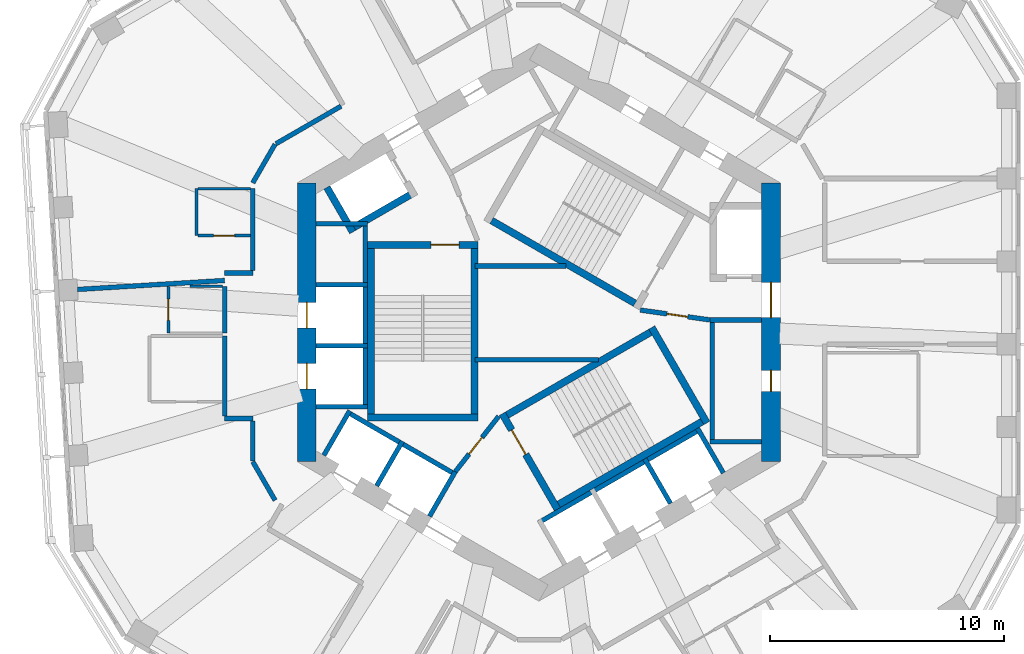
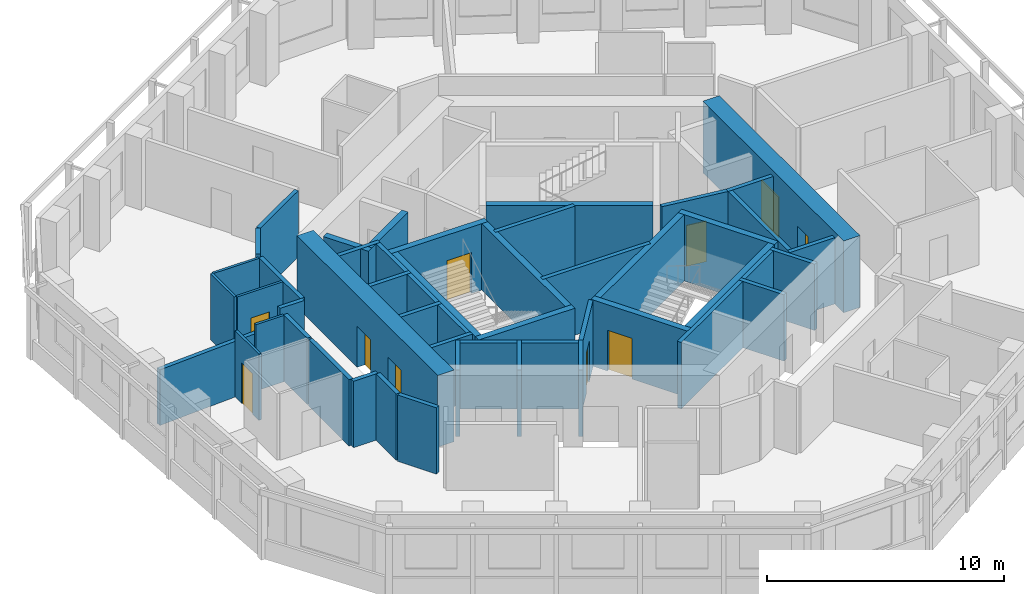
# One storey, part 5 of 11: 47 walls, 10 doors, 10 openings.
"""IFC4 building model written with IfcOpenShell, lengths in metres."""

from ifc_helpers import new_model, si_unit, direction, frame, frame_2d, origin, place, context, subcontext, project, spatial, rectangle, extrude, material, layer, layer_set, type_object, element, fill, save


model = new_model("IFC4")

# Units and contexts
model_context = context("Model", 3, precision=1e-05, world=origin(), true_north=direction((0.0, 1.0)))
body_context = subcontext(model_context, "Body", "Model", "MODEL_VIEW")
ifc_project = project(units=[si_unit("LENGTHUNIT", "METRE"), si_unit("AREAUNIT", "SQUARE_METRE"), si_unit("VOLUMEUNIT", "CUBIC_METRE"), si_unit("PLANEANGLEUNIT", "RADIAN"), si_unit("MASSUNIT", "GRAM", prefix="KILO")], contexts=[model_context])

# Site, building, storey
site_placement = place(None, origin())
site = spatial("IfcSite", under=ifc_project, at=site_placement, CompositionType="ELEMENT")
building_placement = place(site_placement, origin())
building = spatial("IfcBuilding", under=site, at=building_placement, Name="Vanh Sen Convention Tower", CompositionType="ELEMENT")
storey_placement = place(building_placement, frame((0.0, 0.0, 240.199951171875)))
storey = spatial("IfcBuildingStorey", under=building, at=storey_placement, Name="L59", CompositionType="ELEMENT", Elevation=240.199951171875)

# Wall, opening, door
ifc_material_1 = material(Name="Moisture-resistant gypsum board on steel studs", Category="steel")
ifc_layer_1 = layer(ifc_material_1, 0.1201171875)
ifc_layer_set_1 = layer_set([ifc_layer_1], Name="Moisture-resistant gypsum board on steel studs")
wall_type_1 = type_object("IfcWallType", Name="Bathroom partition 120", PredefinedType="PARTITIONING", material=ifc_layer_set_1)
wall_1_placement = place(storey_placement, frame((-15.801025390625, -0.466796875, 0.0), z_axis=(0.0, 0.0, 1.0), x_axis=(0.0, 1.0, 0.0)))
wall_1 = element("IfcWall", 1, at=wall_1_placement, inside=storey, type_object=wall_type_1, Name="Bathroom partition 120", PredefinedType="PARTITIONING", context=body_context, shape_type="SweptSolid", body=[
    extrude(rectangle(XDim=2.0, YDim=0.1201171875, at=frame_2d((1.0, 0.0))), origin(), (0.0, 0.0, 1.0), 3.420166015625),
])
opening_1_placement = place(wall_1_placement, frame((0.550048828125, 0.0, 0.0)))
opening_1 = element("IfcOpeningElement", 2, at=opening_1_placement, cuts=wall_1, Name="Opening D59110", PredefinedType="OPENING", context=body_context, shape_type="SweptSolid", body=[
    extrude(rectangle(XDim=0.89990234375, YDim=2.10009765625, at=frame_2d((0.449951171875, 1.050048828125))), frame((0.0, 0.070068359375, 0.0), z_axis=(0.0, -1.0, 0.0), x_axis=(1.0, 0.0, 0.0)), (0.0, 0.0, 1.0), 0.14013671875),
])
ifc_material_2 = material(Name="Laminate door in steel frame", Category="steel")
door_type_1 = type_object("IfcDoorType", Name="Room internal door 900", OperationType="SINGLE_SWING_LEFT", PredefinedType="DOOR", material=ifc_material_2)
door_1_placement = place(opening_1_placement, origin())
door_1 = element("IfcDoor", 3, at=door_1_placement, inside=storey, type_object=door_type_1, Name="Internal room door D59110", OperationType="SINGLE_SWING_LEFT", OverallHeight=2.10009765625, OverallWidth=0.89990234375, PredefinedType="DOOR", context=body_context, shape_type="SweptSolid", body=[
    extrude(rectangle(XDim=0.89990234375, YDim=2.10009765625, at=frame_2d((0.449951171875, 1.050048828125))), frame((0.0, 0.02490234375, 0.0), z_axis=(0.0, -1.0, 0.0), x_axis=(1.0, 0.0, 0.0)), (0.0, 0.0, 1.0), 0.050048828125),
])
fill(opening_1, door_1)

# Walls
wall_2_placement = place(storey_placement, frame((-14.869384765625, 1.533203125, 0.0), z_axis=(0.0, 0.0, 1.0), x_axis=(1.0, 0.0, 0.0)))
element("IfcWall", 4, at=wall_2_placement, inside=storey, type_object=wall_type_1, Name="Bathroom partition 120", PredefinedType="PARTITIONING", context=body_context, shape_type="SweptSolid", body=[
    extrude(rectangle(XDim=1.368408203125, YDim=0.1201171875, at=frame_2d((0.68408203125, 0.0))), origin(), (0.0, 0.0, 1.0), 3.420166015625),
])
wall_3_placement = place(storey_placement, frame((-14.60009765625, 3.69677734375, 0.0), z_axis=(0.0, 0.0, 1.0), x_axis=(0.0, 1.0, 0.0)))
element("IfcWall", 5, at=wall_3_placement, inside=storey, type_object=wall_type_1, Name="Bathroom partition 120", PredefinedType="PARTITIONING", context=body_context, shape_type="SweptSolid", body=[
    extrude(rectangle(XDim=2.0, YDim=0.1201171875, at=frame_2d((1.0, 0.0))), origin(), (0.0, 0.0, 1.0), 3.420166015625),
])
wall_4_placement = place(storey_placement, frame((-14.5400390625, 5.69677734375, 0.0), z_axis=(0.0, 0.0, 1.0), x_axis=(1.0, 0.0, 0.0)))
element("IfcWall", 6, at=wall_4_placement, inside=storey, type_object=wall_type_1, Name="Bathroom partition 120", PredefinedType="PARTITIONING", context=body_context, shape_type="SweptSolid", body=[
    extrude(rectangle(XDim=2.239990234375, YDim=0.1201171875, at=frame_2d((1.1201171875, 0.0))), origin(), (0.0, 0.0, 1.0), 3.420166015625),
])

# Wall, opening, door
wall_5_placement = place(storey_placement, frame((-12.300048828125, 3.69677734375, 0.0), z_axis=(0.0, 0.0, 1.0), x_axis=(-1.0, 0.0, 0.0)))
wall_5 = element("IfcWall", 7, at=wall_5_placement, inside=storey, type_object=wall_type_1, Name="Bathroom partition 120", PredefinedType="PARTITIONING", context=body_context, shape_type="SweptSolid", body=[
    extrude(rectangle(XDim=2.239990234375, YDim=0.1201171875, at=frame_2d((1.1201171875, 0.0))), origin(), (0.0, 0.0, 1.0), 3.420166015625),
])
opening_2_placement = place(wall_5_placement, frame((0.669921875, 0.0, 0.0)))
opening_2 = element("IfcOpeningElement", 8, at=opening_2_placement, cuts=wall_5, Name="Opening D59108", PredefinedType="OPENING", context=body_context, shape_type="SweptSolid", body=[
    extrude(rectangle(XDim=0.89990234375, YDim=2.10009765625, at=frame_2d((0.449951171875, 1.050048828125))), frame((0.0, 0.070068359375, 0.0), z_axis=(0.0, -1.0, 0.0), x_axis=(1.0, 0.0, 0.0)), (0.0, 0.0, 1.0), 0.14013671875),
])
door_2_placement = place(opening_2_placement, origin())
door_2 = element("IfcDoor", 9, at=door_2_placement, inside=storey, type_object=door_type_1, Name="Internal room door D59108", OperationType="SINGLE_SWING_LEFT", OverallHeight=2.10009765625, OverallWidth=0.89990234375, PredefinedType="DOOR", context=body_context, shape_type="SweptSolid", body=[
    extrude(rectangle(XDim=0.89990234375, YDim=2.10009765625, at=frame_2d((0.449951171875, 1.050048828125))), frame((0.0, 0.02490234375, 0.0), z_axis=(0.0, -1.0, 0.0), x_axis=(1.0, 0.0, 0.0)), (0.0, 0.0, 1.0), 0.050048828125),
])
fill(opening_2, door_2)

# Wall, openings, doors
ifc_material_3 = material(Name="Concrete C60/75", Category="concrete")
ifc_layer_2 = layer(ifc_material_3, 0.800048828125)
ifc_layer_set_2 = layer_set([ifc_layer_2], Name="Concrete C60/75")
wall_type_2 = type_object("IfcWallType", Name="Core outer wall 800 C60/75", PredefinedType="SHEAR", material=ifc_layer_set_2)
wall_6_placement = place(storey_placement, frame((9.89990234375, -5.94677734375, 0.0), z_axis=(0.0, 0.0, 1.0), x_axis=(0.0, 1.0, 0.0)))
wall_6 = element("IfcWall", 10, at=wall_6_placement, inside=storey, type_object=wall_type_2, Name="Core wall face E L59", PredefinedType="SHEAR", context=body_context, shape_type="SweptSolid", body=[
    extrude(rectangle(XDim=11.8935546875, YDim=0.800048828125, at=frame_2d((5.94677734375, 0.0))), origin(), (0.0, 0.0, 1.0), 3.699951171875),
])
opening_3_placement = place(wall_6_placement, frame((6.146728515625, 0.0, 0.0)))
opening_3 = element("IfcOpeningElement", 11, at=opening_3_placement, cuts=wall_6, Name="Opening D59001", PredefinedType="OPENING", context=body_context, shape_type="SweptSolid", body=[
    extrude(rectangle(XDim=1.5, YDim=2.10009765625, at=frame_2d((0.75, 1.050048828125))), frame((0.0, 0.409912109375, 0.0), z_axis=(0.0, -1.0, 0.0), x_axis=(1.0, 0.0, 0.0)), (0.0, 0.0, 1.0), 0.820068359375),
])
opening_4_placement = place(wall_6_placement, frame((2.99658203125, 0.0, 0.0)))
opening_4 = element("IfcOpeningElement", 12, at=opening_4_placement, cuts=wall_6, Name="Opening D59010", PredefinedType="OPENING", context=body_context, shape_type="SweptSolid", body=[
    extrude(rectangle(XDim=0.89990234375, YDim=2.10009765625, at=frame_2d((0.449951171875, 1.050048828125))), frame((0.0, 0.409912109375, 0.0), z_axis=(0.0, -1.0, 0.0), x_axis=(1.0, 0.0, 0.0)), (0.0, 0.0, 1.0), 0.820068359375),
])
ifc_material_4 = material(Name="Steel S355", Category="steel")
door_type_2 = type_object("IfcDoorType", Name="Plant door 900", OperationType="SINGLE_SWING_LEFT", PredefinedType="DOOR", material=ifc_material_4)
door_3_placement = place(opening_4_placement, origin())
door_3 = element("IfcDoor", 13, at=door_3_placement, inside=storey, type_object=door_type_2, Name="Plant door D59010", OperationType="SINGLE_SWING_LEFT", OverallHeight=2.10009765625, OverallWidth=0.89990234375, PredefinedType="DOOR", context=body_context, shape_type="SweptSolid", body=[
    extrude(rectangle(XDim=0.89990234375, YDim=2.10009765625, at=frame_2d((0.449951171875, 1.050048828125))), frame((0.0, 0.02490234375, 0.0), z_axis=(0.0, -1.0, 0.0), x_axis=(1.0, 0.0, 0.0)), (0.0, 0.0, 1.0), 0.050048828125),
])
fill(opening_4, door_3)
door_type_3 = type_object("IfcDoorType", Name="Stair lobby door 1500", OperationType="DOUBLE_DOOR_SINGLE_SWING", PredefinedType="DOOR", material=ifc_material_4)
door_4_placement = place(opening_3_placement, origin())
door_4 = element("IfcDoor", 14, at=door_4_placement, inside=storey, type_object=door_type_3, Name="Stair lobby door D59001", OperationType="DOUBLE_DOOR_SINGLE_SWING", OverallHeight=2.10009765625, OverallWidth=1.5, PredefinedType="DOOR", context=body_context, shape_type="SweptSolid", body=[
    extrude(rectangle(XDim=1.5, YDim=2.10009765625, at=frame_2d((0.75, 1.050048828125))), frame((0.0, 0.02490234375, 0.0), z_axis=(0.0, -1.0, 0.0), x_axis=(1.0, 0.0, 0.0)), (0.0, 0.0, 1.0), 0.050048828125),
])
fill(opening_3, door_4)

wall_7_placement = place(storey_placement, frame((-9.89990234375, 5.94677734375, 0.0), z_axis=(0.0, 0.0, 1.0), x_axis=(0.0, -1.0, 0.0)))
wall_7 = element("IfcWall", 15, at=wall_7_placement, inside=storey, type_object=wall_type_2, Name="Core wall face W L59", PredefinedType="SHEAR", context=body_context, shape_type="SweptSolid", body=[
    extrude(rectangle(XDim=11.8935546875, YDim=0.800048828125, at=frame_2d((5.94677734375, 0.0))), origin(), (0.0, 0.0, 1.0), 3.699951171875),
])
opening_5_placement = place(wall_7_placement, frame((5.0966796875, 0.0, 0.0)))
opening_5 = element("IfcOpeningElement", 16, at=opening_5_placement, cuts=wall_7, Name="Opening LD-HR1", PredefinedType="OPENING", context=body_context, shape_type="SweptSolid", body=[
    extrude(rectangle(XDim=1.10009765625, YDim=2.10009765625, at=frame_2d((0.550048828125, 1.050048828125))), frame((0.0, 0.409912109375, 0.0), z_axis=(0.0, -1.0, 0.0), x_axis=(1.0, 0.0, 0.0)), (0.0, 0.0, 1.0), 0.820068359375),
])
opening_6_placement = place(wall_7_placement, frame((7.69677734375, 0.0, 0.0)))
opening_6 = element("IfcOpeningElement", 17, at=opening_6_placement, cuts=wall_7, Name="Opening LD-HR2", PredefinedType="OPENING", context=body_context, shape_type="SweptSolid", body=[
    extrude(rectangle(XDim=1.10009765625, YDim=2.10009765625, at=frame_2d((0.550048828125, 1.050048828125))), frame((0.0, 0.409912109375, 0.0), z_axis=(0.0, -1.0, 0.0), x_axis=(1.0, 0.0, 0.0)), (0.0, 0.0, 1.0), 0.820068359375),
])
ifc_material_5 = material(Name="Stainless steel", Category="steel")
door_type_4 = type_object("IfcDoorType", Name="Lift landing door 1100", OperationType="DOUBLE_DOOR_SLIDING", PredefinedType="DOOR", material=ifc_material_5)
door_5_placement = place(opening_5_placement, origin())
door_5 = element("IfcDoor", 18, at=door_5_placement, inside=storey, type_object=door_type_4, Name="Lift HR1 landing door LD-HR1", OperationType="DOUBLE_DOOR_SLIDING", OverallHeight=2.10009765625, OverallWidth=1.10009765625, PredefinedType="DOOR", context=body_context, shape_type="SweptSolid", body=[
    extrude(rectangle(XDim=1.10009765625, YDim=2.10009765625, at=frame_2d((0.550048828125, 1.050048828125))), frame((0.0, 0.02490234375, 0.0), z_axis=(0.0, -1.0, 0.0), x_axis=(1.0, 0.0, 0.0)), (0.0, 0.0, 1.0), 0.050048828125),
])
fill(opening_5, door_5)
door_6_placement = place(opening_6_placement, origin())
door_6 = element("IfcDoor", 19, at=door_6_placement, inside=storey, type_object=door_type_4, Name="Lift HR2 landing door LD-HR2", OperationType="DOUBLE_DOOR_SLIDING", OverallHeight=2.10009765625, OverallWidth=1.10009765625, PredefinedType="DOOR", context=body_context, shape_type="SweptSolid", body=[
    extrude(rectangle(XDim=1.10009765625, YDim=2.10009765625, at=frame_2d((0.550048828125, 1.050048828125))), frame((0.0, 0.02490234375, 0.0), z_axis=(0.0, -1.0, 0.0), x_axis=(1.0, 0.0, 0.0)), (0.0, 0.0, 1.0), 0.050048828125),
])
fill(opening_6, door_6)

# Walls
ifc_material_6 = material(Name="Masonry blockwork", Category="masonry")
ifc_layer_3 = layer(ifc_material_6, 0.199951171875)
ifc_layer_set_3 = layer_set([ifc_layer_3], Name="Masonry blockwork")
wall_type_3 = type_object("IfcWallType", Name="Core partition 200", PredefinedType="PARTITIONING", material=ifc_layer_set_3)
wall_8_placement = place(storey_placement, frame((-2.719970703125, -1.60009765625, 0.0), z_axis=(0.0, 0.0, 1.0), x_axis=(1.0, 0.0, 0.0)))
element("IfcWall", 20, at=wall_8_placement, inside=storey, type_object=wall_type_3, Name="Core partition L59", PredefinedType="PARTITIONING", context=body_context, shape_type="SweptSolid", body=[
    extrude(rectangle(XDim=5.2685546875, YDim=0.199951171875, at=frame_2d((2.63427734375, 0.0))), origin(), (0.0, 0.0, 1.0), 3.420166015625),
])
wall_9_placement = place(storey_placement, frame((-2.719970703125, 2.39990234375, 0.0), z_axis=(0.0, 0.0, 1.0), x_axis=(1.0, 0.0, 0.0)))
element("IfcWall", 21, at=wall_9_placement, inside=storey, type_object=wall_type_3, Name="Core partition L59", PredefinedType="PARTITIONING", context=body_context, shape_type="SweptSolid", body=[
    extrude(rectangle(XDim=3.883056640625, YDim=0.199951171875, at=frame_2d((1.94140625, 0.0))), origin(), (0.0, 0.0, 1.0), 3.420166015625),
])
ifc_material_7 = material(Name="Gypsum board on steel studs with mineral wool", Category="steel")
ifc_layer_4 = layer(ifc_material_7, 0.199951171875)
ifc_layer_set_4 = layer_set([ifc_layer_4], Name="Gypsum board on steel studs with mineral wool")
wall_type_4 = type_object("IfcWallType", Name="Corridor partition wall 200", PredefinedType="PARTITIONING", material=ifc_layer_set_4)
wall_10_placement = place(storey_placement, frame((-13.40087890625, -4.10107421875, 0.0), z_axis=(0.0, 0.0, 1.0), x_axis=(1.0, 0.0, 0.0)))
element("IfcWall", 22, at=wall_10_placement, inside=storey, type_object=wall_type_4, Name="Corridor partition wall 200", PredefinedType="PARTITIONING", context=body_context, shape_type="SweptSolid", body=[
    extrude(rectangle(XDim=1.200927734375, YDim=0.199951171875, at=frame_2d((0.6005859375, 0.0))), origin(), (0.0, 0.0, 1.0), 3.420166015625),
])
wall_11_placement = place(storey_placement, frame((-13.40087890625, -0.586669921875, 0.0), z_axis=(0.0, 0.0, 1.0), x_axis=(0.0, -1.0, 0.0)))
element("IfcWall", 23, at=wall_11_placement, inside=storey, type_object=wall_type_4, Name="Corridor partition wall 200", PredefinedType="PARTITIONING", context=body_context, shape_type="SweptSolid", body=[
    extrude(rectangle(XDim=3.414306640625, YDim=0.199951171875, at=frame_2d((1.70703125, 0.0))), origin(), (0.0, 0.0, 1.0), 3.420166015625),
])
wall_12_placement = place(storey_placement, frame((-13.40087890625, 1.533203125, 0.0), z_axis=(0.0, 0.0, 1.0), x_axis=(0.0, -1.0, 0.0)))
element("IfcWall", 24, at=wall_12_placement, inside=storey, type_object=wall_type_4, Name="Corridor partition wall 200", PredefinedType="PARTITIONING", context=body_context, shape_type="SweptSolid", body=[
    extrude(rectangle(XDim=2.0, YDim=0.199951171875, at=frame_2d((1.0, 0.0))), origin(), (0.0, 0.0, 1.0), 3.420166015625),
])
wall_13_placement = place(storey_placement, frame((-12.199951171875, -5.94677734375, 0.0), z_axis=(0.0, 0.0, 1.0), x_axis=(0.500022797313, -0.86601224135, 0.0)))
element("IfcWall", 25, at=wall_13_placement, inside=storey, type_object=wall_type_4, Name="Corridor partition wall 200", PredefinedType="PARTITIONING", context=body_context, shape_type="SweptSolid", body=[
    extrude(rectangle(XDim=1.89990234375, YDim=0.199951171875, at=frame_2d((0.949951171875, 0.0))), origin(), (0.0, 0.0, 1.0), 3.420166015625),
])
wall_14_placement = place(storey_placement, frame((-12.199951171875, -4.200927734375, 0.0), z_axis=(0.0, 0.0, 1.0), x_axis=(0.0, -1.0, 0.0)))
element("IfcWall", 26, at=wall_14_placement, inside=storey, type_object=wall_type_4, Name="Corridor partition wall 200", PredefinedType="PARTITIONING", context=body_context, shape_type="SweptSolid", body=[
    extrude(rectangle(XDim=1.705810546875, YDim=0.199951171875, at=frame_2d((0.85302734375, 0.0))), origin(), (0.0, 0.0, 1.0), 3.420166015625),
])
wall_15_placement = place(storey_placement, frame((-12.199951171875, 2.10107421875, 0.0), z_axis=(0.0, 0.0, 1.0), x_axis=(-1.0, 0.0, 0.0)))
element("IfcWall", 27, at=wall_15_placement, inside=storey, type_object=wall_type_4, Name="Corridor partition wall 200", PredefinedType="PARTITIONING", context=body_context, shape_type="SweptSolid", body=[
    extrude(rectangle(XDim=1.200927734375, YDim=0.199951171875, at=frame_2d((0.6005859375, 0.0))), origin(), (0.0, 0.0, 1.0), 3.420166015625),
])
wall_16_placement = place(storey_placement, frame((-12.199951171875, 5.69677734375, 0.0), z_axis=(0.0, 0.0, 1.0), x_axis=(0.0, -1.0, 0.0)))
element("IfcWall", 28, at=wall_16_placement, inside=storey, type_object=wall_type_4, Name="Corridor partition wall 200", PredefinedType="PARTITIONING", context=body_context, shape_type="SweptSolid", body=[
    extrude(rectangle(XDim=3.495849609375, YDim=0.199951171875, at=frame_2d((1.748046875, 0.0))), origin(), (0.0, 0.0, 1.0), 3.420166015625),
])
wall_17_placement = place(storey_placement, frame((-11.25, 7.592041015625, 0.0), z_axis=(0.0, 0.0, 1.0), x_axis=(-0.500022797313, -0.86601224135, 0.0)))
element("IfcWall", 29, at=wall_17_placement, inside=storey, type_object=wall_type_4, Name="Corridor partition wall 200", PredefinedType="PARTITIONING", context=body_context, shape_type="SweptSolid", body=[
    extrude(rectangle(XDim=1.89990234375, YDim=0.199951171875, at=frame_2d((0.949951171875, 0.0))), origin(), (0.0, 0.0, 1.0), 3.420166015625),
])
wall_18_placement = place(storey_placement, frame((-8.4365234375, 9.216552734375, 0.0), z_axis=(0.0, 0.0, 1.0), x_axis=(-0.866005660673, -0.500034194513, 0.0)))
element("IfcWall", 30, at=wall_18_placement, inside=storey, type_object=wall_type_4, Name="Corridor partition wall 200", PredefinedType="PARTITIONING", context=body_context, shape_type="SweptSolid", body=[
    extrude(rectangle(XDim=3.208740234375, YDim=0.199951171875, at=frame_2d((1.6044921875, 0.0))), origin(), (0.0, 0.0, 1.0), 3.420166015625),
])
ifc_layer_5 = layer(ifc_material_3, 0.300048828125)
ifc_layer_set_5 = layer_set([ifc_layer_5], Name="Concrete C60/75")
wall_type_5 = type_object("IfcWallType", Name="Fire-fighting lift shaft wall 300", PredefinedType="SHEAR", material=ifc_layer_set_5)
wall_19_placement = place(storey_placement, frame((-5.240478515625, 5.576904296875, 0.0), z_axis=(0.0, 0.0, 1.0), x_axis=(-0.866014461049, -0.500018952895, 0.0)))
element("IfcWall", 31, at=wall_19_placement, inside=storey, type_object=wall_type_5, Name="Fire-fighting lift shaft wall L59", PredefinedType="SHEAR", context=body_context, shape_type="SweptSolid", body=[
    extrude(rectangle(XDim=3.349853515625, YDim=0.300048828125, at=frame_2d((1.6748046875, 0.0))), origin(), (0.0, 0.0, 1.0), 3.420166015625),
])
wall_20_placement = place(storey_placement, frame((-7.936767578125, 3.846923828125, 0.0), z_axis=(0.0, 0.0, 1.0), x_axis=(-0.50002983664, 0.866008176907, 0.0)))
element("IfcWall", 32, at=wall_20_placement, inside=storey, type_object=wall_type_5, Name="Fire-fighting lift shaft wall L59", PredefinedType="SHEAR", context=body_context, shape_type="SweptSolid", body=[
    extrude(rectangle(XDim=2.199951171875, YDim=0.300048828125, at=frame_2d((1.10009765625, 0.0))), origin(), (0.0, 0.0, 1.0), 3.420166015625),
])
ifc_material_8 = material(Name="Concrete C40/50", Category="concrete")
ifc_layer_6 = layer(ifc_material_8, 0.199951171875)
ifc_layer_set_6 = layer_set([ifc_layer_6], Name="Concrete C40/50")
wall_type_6 = type_object("IfcWallType", Name="Lift shaft wall 200", PredefinedType="PARTITIONING", material=ifc_layer_set_6)
wall_21_placement = place(storey_placement, frame((7.39990234375, -5.199951171875, 0.0), z_axis=(0.0, 0.0, 1.0), x_axis=(0.0, 1.0, 0.0)))
element("IfcWall", 33, at=wall_21_placement, inside=storey, type_object=wall_type_6, Name="Lift shaft wall L59", PredefinedType="PARTITIONING", context=body_context, shape_type="SweptSolid", body=[
    extrude(rectangle(XDim=5.39990234375, YDim=0.199951171875, at=frame_2d((2.699951171875, 0.0))), origin(), (0.0, 0.0, 1.0), 3.420166015625),
])
for number, where, z_axis, x_axis, name in (
    (34, (7.300048828125, -5.10009765625, 0.0), (0.0, 0.0, 1.0), (1.0, 0.0, 0.0), "Lift shaft wall L59"),
    (35, (7.300048828125, 0.10009765625, 0.0), (0.0, 0.0, 1.0), (1.0, 0.0, 0.0), "Lift shaft wall L59"),
):
    element("IfcWall", number, at=place(storey_placement, frame(where, z_axis=z_axis, x_axis=x_axis)), inside=storey, type_object=wall_type_6, Name=name, PredefinedType="PARTITIONING", context=body_context, shape_type="SweptSolid", body=[
        extrude(rectangle(XDim=2.199951171875, YDim=0.199951171875, at=frame_2d((1.10009765625, 0.0))), origin(), (0.0, 0.0, 1.0), 3.420166015625),
    ])
wall_22_placement = place(storey_placement, frame((-7.39990234375, 4.300048828125, 0.0), z_axis=(0.0, 0.0, 1.0), x_axis=(0.0, -1.0, 0.0)))
element("IfcWall", 36, at=wall_22_placement, inside=storey, type_object=wall_type_6, Name="Lift shaft wall L59", PredefinedType="PARTITIONING", context=body_context, shape_type="SweptSolid", body=[
    extrude(rectangle(XDim=8.0, YDim=0.199951171875, at=frame_2d((4.0, 0.0))), origin(), (0.0, 0.0, 1.0), 3.420166015625),
])
for number, where, z_axis, x_axis, name in (
    (37, (-7.300048828125, 4.199951171875, 0.0), (0.0, 0.0, 1.0), (-1.0, 0.0, 0.0), "Lift shaft wall L59"),
    (38, (-7.300048828125, 1.60009765625, 0.0), (0.0, 0.0, 1.0), (-1.0, 0.0, 0.0), "Lift shaft wall L59"),
    (39, (-7.300048828125, -1.0, 0.0), (0.0, 0.0, 1.0), (-1.0, 0.0, 0.0), "Lift shaft wall L59"),
    (40, (-7.300048828125, -3.60009765625, 0.0), (0.0, 0.0, 1.0), (-1.0, 0.0, 0.0), "Lift shaft wall L59"),
):
    element("IfcWall", number, at=place(storey_placement, frame(where, z_axis=z_axis, x_axis=x_axis)), inside=storey, type_object=wall_type_6, Name=name, PredefinedType="PARTITIONING", context=body_context, shape_type="SweptSolid", body=[
        extrude(rectangle(XDim=2.199951171875, YDim=0.199951171875, at=frame_2d((1.10009765625, 0.0))), origin(), (0.0, 0.0, 1.0), 3.420166015625),
    ])
wall_23_placement = place(storey_placement, frame((-8.203369140625, -3.80859375, 0.0), z_axis=(0.0, 0.0, 1.0), x_axis=(0.866028230842, -0.499995103361, 0.0)))
element("IfcWall", 41, at=wall_23_placement, inside=storey, type_object=wall_type_6, Name="Lift shaft wall L59", PredefinedType="PARTITIONING", context=body_context, shape_type="SweptSolid", body=[
    extrude(rectangle(XDim=5.39990234375, YDim=0.199951171875, at=frame_2d((2.699951171875, 0.0))), origin(), (0.0, 0.0, 1.0), 3.420166015625),
])
for number, where, z_axis, x_axis, name in (
    (42, (-8.066650390625, -3.77197265625, 0.0), (0.0, 0.0, 1.0), (-0.50002983664, -0.866008176907, 0.0), "Lift shaft wall L59"),
    (43, (-5.815185546875, -5.072021484375, 0.0), (0.0, 0.0, 1.0), (-0.499946605688, -0.86605622881, 0.0), "Lift shaft wall L59"),
):
    element("IfcWall", number, at=place(storey_placement, frame(where, z_axis=z_axis, x_axis=x_axis)), inside=storey, type_object=wall_type_6, Name=name, PredefinedType="PARTITIONING", context=body_context, shape_type="SweptSolid", body=[
        extrude(rectangle(XDim=2.199951171875, YDim=0.199951171875, at=frame_2d((1.10009765625, 0.0))), origin(), (0.0, 0.0, 1.0), 3.420166015625),
    ])
wall_24_placement = place(storey_placement, frame((-3.5634765625, -6.3720703125, 0.0), z_axis=(0.0, 0.0, 1.0), x_axis=(-0.499994660107, -0.866028486751, 0.0)))
element("IfcWall", 44, at=wall_24_placement, inside=storey, type_object=wall_type_6, Name="Lift shaft wall L59", PredefinedType="PARTITIONING", context=body_context, shape_type="SweptSolid", body=[
    extrude(rectangle(XDim=2.19970703125, YDim=0.199951171875, at=frame_2d((1.099853515625, 0.0))), origin(), (0.0, 0.0, 1.0), 3.420166015625),
])
wall_25_placement = place(storey_placement, frame((-0.02392578125, -8.55859375, 0.0), z_axis=(0.0, 0.0, 1.0), x_axis=(0.866026010844, 0.49999894854, 0.0)))
element("IfcWall", 45, at=wall_25_placement, inside=storey, type_object=wall_type_6, Name="Lift shaft wall L59", PredefinedType="PARTITIONING", context=body_context, shape_type="SweptSolid", body=[
    extrude(rectangle(XDim=8.0, YDim=0.199951171875, at=frame_2d((4.0, 0.0))), origin(), (0.0, 0.0, 1.0), 3.420166015625),
])
for number, where, z_axis, x_axis, name in (
    (46, (4.51611328125, -5.822021484375, 0.0), (0.0, 0.0, 1.0), (0.499946605688, -0.86605622881, 0.0), "Lift shaft wall L59"),
    (47, (6.767578125, -4.52197265625, 0.0), (0.0, 0.0, 1.0), (0.50002983664, -0.866008176907, 0.0), "Lift shaft wall L59"),
):
    element("IfcWall", number, at=place(storey_placement, frame(where, z_axis=z_axis, x_axis=x_axis)), inside=storey, type_object=wall_type_6, Name=name, PredefinedType="PARTITIONING", context=body_context, shape_type="SweptSolid", body=[
        extrude(rectangle(XDim=2.199951171875, YDim=0.199951171875, at=frame_2d((1.10009765625, 0.0))), origin(), (0.0, 0.0, 1.0), 3.420166015625),
    ])

# Wall, opening, door
ifc_layer_7 = layer(ifc_material_8, 0.199951171875)
ifc_layer_set_7 = layer_set([ifc_layer_7], Name="Concrete C40/50")
wall_type_7 = type_object("IfcWallType", Name="Stair lobby wall 200", PredefinedType="PARTITIONING", material=ifc_layer_set_7)
wall_26_placement = place(storey_placement, frame((4.327392578125, 0.52099609375, 0.0), z_axis=(0.0, 0.0, 1.0), x_axis=(0.990124376366, -0.14019172346, 0.0)))
wall_26 = element("IfcWall", 48, at=wall_26_placement, inside=storey, type_object=wall_type_7, Name="Stair lobby wall L59", PredefinedType="PARTITIONING", context=body_context, shape_type="SweptSolid", body=[
    extrude(rectangle(XDim=3.002197265625, YDim=0.199951171875, at=frame_2d((1.5009765625, 0.0))), origin(), (0.0, 0.0, 1.0), 3.420166015625),
])
opening_7_placement = place(wall_26_placement, frame((1.14990234375, 0.0, 0.0)))
opening_7 = element("IfcOpeningElement", 49, at=opening_7_placement, cuts=wall_26, Name="Opening D59007", PredefinedType="OPENING", context=body_context, shape_type="SweptSolid", body=[
    extrude(rectangle(XDim=0.89990234375, YDim=2.10009765625, at=frame_2d((0.449951171875, 1.050048828125))), frame((0.0, 0.10986328125, 0.0), z_axis=(0.0, -1.0, 0.0), x_axis=(1.0, 0.0, 0.0)), (0.0, 0.0, 1.0), 0.219970703125),
])
door_7_placement = place(opening_7_placement, origin())
door_7 = element("IfcDoor", 50, at=door_7_placement, inside=storey, type_object=door_type_2, Name="Plant door D59007", OperationType="SINGLE_SWING_LEFT", OverallHeight=2.10009765625, OverallWidth=0.89990234375, PredefinedType="DOOR", context=body_context, shape_type="SweptSolid", body=[
    extrude(rectangle(XDim=0.89990234375, YDim=2.10009765625, at=frame_2d((0.449951171875, 1.050048828125))), frame((0.0, 0.02490234375, 0.0), z_axis=(0.0, -1.0, 0.0), x_axis=(1.0, 0.0, 0.0)), (0.0, 0.0, 1.0), 0.050048828125),
])
fill(opening_7, door_7)

wall_27_placement = place(storey_placement, frame((-1.71240234375, -4.00830078125, 0.0), z_axis=(0.0, 0.0, 1.0), x_axis=(-0.616549420702, -0.787316208287, 0.0)))
wall_27 = element("IfcWall", 51, at=wall_27_placement, inside=storey, type_object=wall_type_7, Name="Stair lobby wall L59", PredefinedType="PARTITIONING", context=body_context, shape_type="SweptSolid", body=[
    extrude(rectangle(XDim=3.002197265625, YDim=0.199951171875, at=frame_2d((1.5009765625, 0.0))), origin(), (0.0, 0.0, 1.0), 3.420166015625),
])
opening_8_placement = place(wall_27_placement, frame((1.14990234375, 0.0, 0.0)))
opening_8 = element("IfcOpeningElement", 52, at=opening_8_placement, cuts=wall_27, Name="Opening D59009", PredefinedType="OPENING", context=body_context, shape_type="SweptSolid", body=[
    extrude(rectangle(XDim=0.89990234375, YDim=2.10009765625, at=frame_2d((0.449951171875, 1.050048828125))), frame((0.0, 0.10986328125, 0.0), z_axis=(0.0, -1.0, 0.0), x_axis=(1.0, 0.0, 0.0)), (0.0, 0.0, 1.0), 0.219970703125),
])
door_8_placement = place(opening_8_placement, origin())
door_8 = element("IfcDoor", 53, at=door_8_placement, inside=storey, type_object=door_type_2, Name="Plant door D59009", OperationType="SINGLE_SWING_LEFT", OverallHeight=2.10009765625, OverallWidth=0.89990234375, PredefinedType="DOOR", context=body_context, shape_type="SweptSolid", body=[
    extrude(rectangle(XDim=0.89990234375, YDim=2.10009765625, at=frame_2d((0.449951171875, 1.050048828125))), frame((0.0, 0.02490234375, 0.0), z_axis=(0.0, -1.0, 0.0), x_axis=(1.0, 0.0, 0.0)), (0.0, 0.0, 1.0), 0.050048828125),
])
fill(opening_8, door_8)

# Wall
ifc_layer_8 = layer(ifc_material_3, 0.300048828125)
ifc_layer_set_8 = layer_set([ifc_layer_8], Name="Concrete C60/75")
wall_type_8 = type_object("IfcWallType", Name="Stair wall 300", PredefinedType="SHEAR", material=ifc_layer_set_8)
wall_28_placement = place(storey_placement, frame((4.10302734375, 0.806640625, 0.0), z_axis=(0.0, 0.0, 1.0), x_axis=(-0.866027801685, 0.499995846692, 0.0)))
element("IfcWall", 54, at=wall_28_placement, inside=storey, type_object=wall_type_8, Name="Stair wall L59", PredefinedType="SHEAR", context=body_context, shape_type="SweptSolid", body=[
    extrude(rectangle(XDim=7.06005859375, YDim=0.300048828125, at=frame_2d((3.530029296875, 0.0))), origin(), (0.0, 0.0, 1.0), 3.420166015625),
])

# Wall, opening, door
wall_29_placement = place(storey_placement, frame((-2.60009765625, 3.300048828125, 0.0), z_axis=(0.0, 0.0, 1.0), x_axis=(-1.0, 0.0, 0.0)))
wall_29 = element("IfcWall", 55, at=wall_29_placement, inside=storey, type_object=wall_type_8, Name="Stair wall L59", PredefinedType="SHEAR", context=body_context, shape_type="SweptSolid", body=[
    extrude(rectangle(XDim=4.699951171875, YDim=0.300048828125, at=frame_2d((2.35009765625, 0.0))), origin(), (0.0, 0.0, 1.0), 3.420166015625),
])
opening_9_placement = place(wall_29_placement, frame((0.800048828125, 0.0, 0.0)))
opening_9 = element("IfcOpeningElement", 56, at=opening_9_placement, cuts=wall_29, Name="Opening D59005", PredefinedType="OPENING", context=body_context, shape_type="SweptSolid", body=[
    extrude(rectangle(XDim=1.199951171875, YDim=2.10009765625, at=frame_2d((0.60009765625, 1.050048828125))), frame((0.0, 0.159912109375, 0.0), z_axis=(0.0, -1.0, 0.0), x_axis=(1.0, 0.0, 0.0)), (0.0, 0.0, 1.0), 0.320068359375),
])
door_type_5 = type_object("IfcDoorType", Name="Stair door 1200", OperationType="SINGLE_SWING_RIGHT", PredefinedType="DOOR", material=ifc_material_4)
door_9_placement = place(opening_9_placement, origin())
door_9 = element("IfcDoor", 57, at=door_9_placement, inside=storey, type_object=door_type_5, Name="Stair ST2 door D59005", OperationType="SINGLE_SWING_RIGHT", OverallHeight=2.10009765625, OverallWidth=1.199951171875, PredefinedType="DOOR", context=body_context, shape_type="SweptSolid", body=[
    extrude(rectangle(XDim=1.199951171875, YDim=2.10009765625, at=frame_2d((0.60009765625, 1.050048828125))), frame((0.0, 0.02490234375, 0.0), z_axis=(0.0, -1.0, 0.0), x_axis=(1.0, 0.0, 0.0)), (0.0, 0.0, 1.0), 0.050048828125),
])
fill(opening_9, door_9)

# Walls
wall_30_placement = place(storey_placement, frame((-2.60009765625, -4.06005859375, 0.0), z_axis=(0.0, 0.0, 1.0), x_axis=(-1.0, 0.0, 0.0)))
element("IfcWall", 58, at=wall_30_placement, inside=storey, type_object=wall_type_8, Name="Stair wall L59", PredefinedType="SHEAR", context=body_context, shape_type="SweptSolid", body=[
    extrude(rectangle(XDim=4.699951171875, YDim=0.300048828125, at=frame_2d((2.35009765625, 0.0))), origin(), (0.0, 0.0, 1.0), 3.420166015625),
])
for number, where, z_axis, x_axis, name in (
    (59, (-2.75, 3.14990234375, 0.0), (0.0, 0.0, 1.0), (0.0, -1.0, 0.0), "Stair wall L59"),
    (60, (-7.14990234375, 3.14990234375, 0.0), (0.0, 0.0, 1.0), (0.0, -1.0, 0.0), "Stair wall L59"),
):
    element("IfcWall", number, at=place(storey_placement, frame(where, z_axis=z_axis, x_axis=x_axis)), inside=storey, type_object=wall_type_8, Name=name, PredefinedType="SHEAR", context=body_context, shape_type="SweptSolid", body=[
        extrude(rectangle(XDim=7.059814453125, YDim=0.300048828125, at=frame_2d((3.52978515625, 0.0))), origin(), (0.0, 0.0, 1.0), 3.420166015625),
    ])

# Wall, opening, door
wall_31_placement = place(storey_placement, frame((-1.557861328125, -3.901611328125, 0.0), z_axis=(0.0, 0.0, 1.0), x_axis=(0.499977259774, -0.866038532462, 0.0)))
wall_31 = element("IfcWall", 61, at=wall_31_placement, inside=storey, type_object=wall_type_8, Name="Stair wall L59", PredefinedType="SHEAR", context=body_context, shape_type="SweptSolid", body=[
    extrude(rectangle(XDim=4.699951171875, YDim=0.300048828125, at=frame_2d((2.35009765625, 0.0))), origin(), (0.0, 0.0, 1.0), 3.420166015625),
])
opening_10_placement = place(wall_31_placement, frame((0.800048828125, 0.0, 0.0)))
opening_10 = element("IfcOpeningElement", 62, at=opening_10_placement, cuts=wall_31, Name="Opening D59006", PredefinedType="OPENING", context=body_context, shape_type="SweptSolid", body=[
    extrude(rectangle(XDim=1.199951171875, YDim=2.10009765625, at=frame_2d((0.60009765625, 1.050048828125))), frame((0.0, 0.159912109375, 0.0), z_axis=(0.0, -1.0, 0.0), x_axis=(1.0, 0.0, 0.0)), (0.0, 0.0, 1.0), 0.320068359375),
])
door_10_placement = place(opening_10_placement, origin())
door_10 = element("IfcDoor", 63, at=door_10_placement, inside=storey, type_object=door_type_5, Name="Stair ST3 door D59006", OperationType="SINGLE_SWING_RIGHT", OverallHeight=2.10009765625, OverallWidth=1.199951171875, PredefinedType="DOOR", context=body_context, shape_type="SweptSolid", body=[
    extrude(rectangle(XDim=1.199951171875, YDim=2.10009765625, at=frame_2d((0.60009765625, 1.050048828125))), frame((0.0, 0.02490234375, 0.0), z_axis=(0.0, -1.0, 0.0), x_axis=(1.0, 0.0, 0.0)), (0.0, 0.0, 1.0), 0.050048828125),
])
fill(opening_10, door_10)

# Walls
wall_32_placement = place(storey_placement, frame((4.816162109375, -0.2216796875, 0.0), z_axis=(0.0, 0.0, 1.0), x_axis=(0.499977259774, -0.866038532462, 0.0)))
element("IfcWall", 64, at=wall_32_placement, inside=storey, type_object=wall_type_8, Name="Stair wall L59", PredefinedType="SHEAR", context=body_context, shape_type="SweptSolid", body=[
    extrude(rectangle(XDim=4.699951171875, YDim=0.300048828125, at=frame_2d((2.35009765625, 0.0))), origin(), (0.0, 0.0, 1.0), 3.420166015625),
])
for number, where, z_axis, x_axis, name in (
    (65, (-1.35302734375, -3.95654296875, 0.0), (0.0, 0.0, 1.0), (0.866027801685, 0.499995846692, 0.0), "Stair wall L59"),
    (66, (0.846923828125, -7.76708984375, 0.0), (0.0, 0.0, 1.0), (0.866027801685, 0.499995846692, 0.0), "Stair wall L59"),
):
    element("IfcWall", number, at=place(storey_placement, frame(where, z_axis=z_axis, x_axis=x_axis)), inside=storey, type_object=wall_type_8, Name=name, PredefinedType="SHEAR", context=body_context, shape_type="SweptSolid", body=[
        extrude(rectangle(XDim=7.06005859375, YDim=0.300048828125, at=frame_2d((3.530029296875, 0.0))), origin(), (0.0, 0.0, 1.0), 3.420166015625),
    ])
ifc_layer_9 = layer(ifc_material_7, 0.199951171875)
ifc_layer_set_9 = layer_set([ifc_layer_9], Name="Gypsum board on steel studs with mineral wool")
wall_type_9 = type_object("IfcWallType", Name="Tenant suite wall 200", PredefinedType="PARTITIONING", material=ifc_layer_set_9)
wall_33_placement = place(storey_placement, frame((-19.672119140625, 1.399658203125, 0.0), z_axis=(0.0, 0.0, 1.0), x_axis=(0.99813499784, 0.061045278997, 0.0)))
element("IfcWall", 67, at=wall_33_placement, inside=storey, type_object=wall_type_9, Name="Tenant suite wall 200", PredefinedType="PARTITIONING", context=body_context, shape_type="SweptSolid", body=[
    extrude(rectangle(XDim=6.282958984375, YDim=0.199951171875, at=frame_2d((3.1416015625, 0.0))), origin(), (0.0, 0.0, 1.0), 2.8701171875),
])

save(model, "model.ifc")
